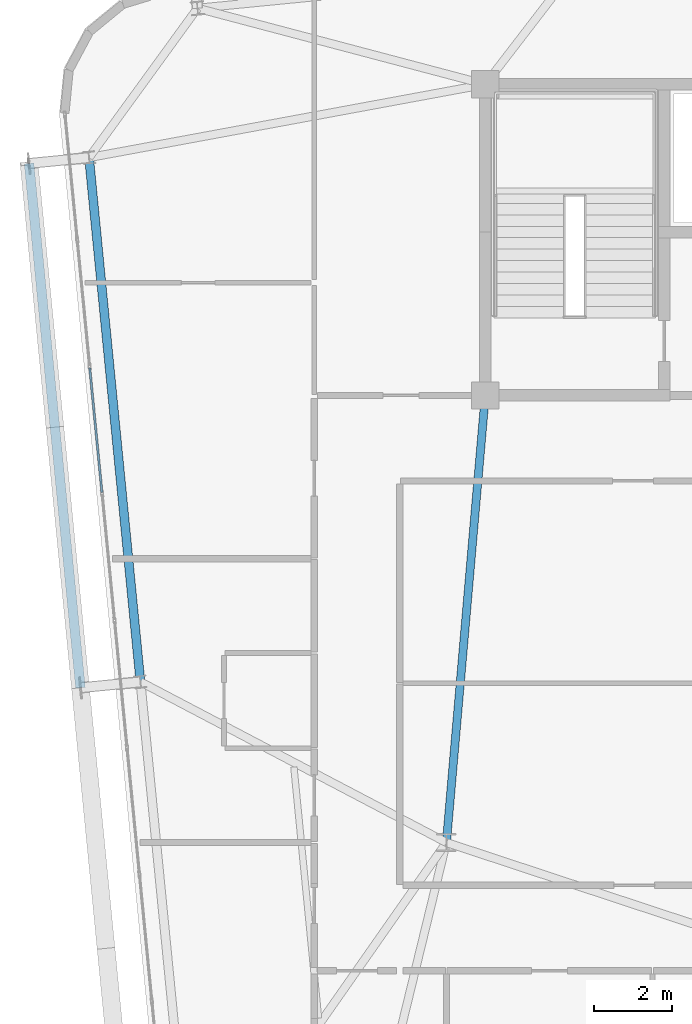
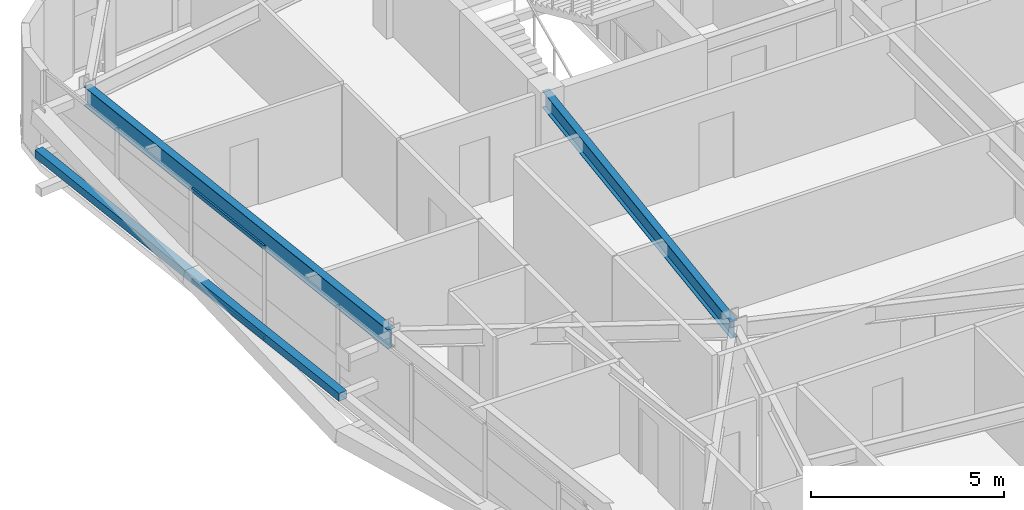
# One storey, part 14 of 54: 3 members, 2 beams, 1 element without a shape of its own.
"""IFC4 building model written with IfcOpenShell, lengths in metres."""

from ifc_helpers import new_model, si_unit, direction, frame, origin, origin_2d, place, context, subcontext, project, spatial, hollow_rectangle, i_section, extrude, source, transform, mapped, material, layer, layer_set, material_profile, profile_set, type_object, element, aggregate, save


model = new_model("IFC4")

# Units and contexts
model_context = context("Model", 3, precision=1e-05, world=origin(), true_north=direction((0.0, 1.0)))
body_context = subcontext(model_context, "Body", "Model", "MODEL_VIEW")
ifc_project = project(units=[si_unit("LENGTHUNIT", "METRE"), si_unit("AREAUNIT", "SQUARE_METRE"), si_unit("VOLUMEUNIT", "CUBIC_METRE"), si_unit("PLANEANGLEUNIT", "RADIAN"), si_unit("MASSUNIT", "GRAM", prefix="KILO")], contexts=[model_context])

# Site, building, storey
site_placement = place(None, origin())
site = spatial("IfcSite", under=ifc_project, at=site_placement, CompositionType="ELEMENT")
building_placement = place(site_placement, origin())
building = spatial("IfcBuilding", under=site, at=building_placement, Name="Taldren Reach Tower", CompositionType="ELEMENT")
storey_placement = place(building_placement, frame((0.0, 0.0, 102.89990234375)))
storey = spatial("IfcBuildingStorey", under=building, at=storey_placement, Name="L31", CompositionType="ELEMENT", Elevation=102.89990234375)

# Beams
ifc_material_1 = material(Name="Steel Gr 350 (350PLUS)", Category="steel")
ifc_material_profile_1 = material_profile(ifc_material_1, i_section(OverallWidth=0.208984375, OverallDepth=0.532958984375, WebThickness=0.01025390625, FlangeThickness=0.015625, at=origin_2d()), Name="530UB92.4")
ifc_profile_set_1 = profile_set([ifc_material_profile_1], Name="Steel Gr 350 (350PLUS)")
beam_type_1 = type_object("IfcBeamType", Name="BM-UB530A", PredefinedType="BEAM", material=ifc_profile_set_1)
shared_shape_1 = source(origin(), body_context, "Body", "SweptSolid", [
    extrude(i_section(OverallWidth=0.208984375, OverallDepth=0.532958984375, WebThickness=0.01025390625, FlangeThickness=0.015625, at=origin_2d()), origin(), (0.0, 0.0, 1.0), 11.54345703125),
])
beam_1_placement = place(storey_placement, frame((19.0, 24.0, 2.66357421875), z_axis=(-0.086629616365, -0.996240588196, 0.0), x_axis=(0.996240588196, -0.086629616365, 0.0)))
element("IfcBeam", 1, at=beam_1_placement, inside=storey, type_object=beam_type_1, Name="Core-spine girder L31-SP09", PredefinedType="BEAM", context=body_context, shape_type="MappedRepresentation", body=[
    mapped(shared_shape_1, transform((0.0, 0.0, 0.0), scale=1.0)),
])
ifc_material_profile_2 = material_profile(ifc_material_1, i_section(OverallWidth=0.22802734375, OverallDepth=0.60205078125, WebThickness=0.010498046875, FlangeThickness=0.014892578125, at=origin_2d()), Name="610UB101")
ifc_profile_set_2 = profile_set([ifc_material_profile_2], Name="Steel Gr 350 (350PLUS)")
beam_type_2 = type_object("IfcBeamType", Name="BM-UB610B", PredefinedType="BEAM", material=ifc_profile_set_2)
shared_shape_2 = source(origin(), body_context, "Body", "SweptSolid", [
    extrude(i_section(OverallWidth=0.22802734375, OverallDepth=0.60205078125, WebThickness=0.010498046875, FlangeThickness=0.014892578125, at=origin_2d()), origin(), (0.0, 0.0, 1.0), 13.550048828125),
])
beam_2_placement = place(storey_placement, frame((8.808349609375, 30.116455078125, 2.629150390625), z_axis=(0.097584021339, -0.995227290009, 0.0), x_axis=(0.995227290009, 0.097584021339, 0.0)))
element("IfcBeam", 2, at=beam_2_placement, inside=storey, type_object=beam_type_2, Name="Perimeter gable girder B2 W3-W2 L31", PredefinedType="BEAM", context=body_context, shape_type="MappedRepresentation", body=[
    mapped(shared_shape_2, transform((0.0, 0.0, 0.0), scale=1.0)),
])

# Member
ifc_material_2 = material(Name="Steel Gr 350 (C350L0)", Category="steel")
ifc_material_profile_3 = material_profile(ifc_material_2, hollow_rectangle(XDim=0.25, YDim=0.25, WallThickness=0.010009765625, at=origin_2d()), Name="250x250x10.0SHS")
ifc_profile_set_3 = profile_set([ifc_material_profile_3], Name="Steel Gr 350 (C350L0)")
member_type_1 = type_object("IfcMemberType", Name="MB-POST250", PredefinedType="POST", material=ifc_profile_set_3)
shared_shape_3 = source(origin(), body_context, "Body", "SweptSolid", [
    extrude(hollow_rectangle(XDim=0.25, YDim=0.25, WallThickness=0.010009765625, at=origin_2d()), origin(), (0.0, 0.0, 1.0), 13.550048828125),
])
member_1_placement = place(storey_placement, frame((8.587890625, 16.479736328125, 1.43505859375), z_axis=(-0.097584021339, 0.995227290009, 0.0), x_axis=(-0.995227290009, -0.097584021339, 0.0)))
element("IfcMember", 3, at=member_1_placement, inside=storey, type_object=member_type_1, Name="Exoskeleton mid-height ring chord B2-W2 L31", PredefinedType="POST", context=body_context, shape_type="MappedRepresentation", body=[
    mapped(shared_shape_3, transform((0.0, 0.0, 0.0), scale=1.0)),
])

# Curtain wall, members
ifc_material_3 = material(Name="Aluminium and Low-E Glass Unitised System", Category="aluminium")
ifc_layer = layer(ifc_material_3, 0.159912109375)
ifc_layer_set = layer_set([ifc_layer], Name="Aluminium and Low-E Glass Unitised System")
curtain_wall_type = type_object("IfcCurtainWallType", Name="CW-SYS-3", PredefinedType="NOTDEFINED", material=ifc_layer_set)
curtain_wall_placement = place(storey_placement, origin())
curtain_wall = element("IfcCurtainWall", 4, at=curtain_wall_placement, inside=storey, type_object=curtain_wall_type, Name="Unitised curtain wall CW-L31-W", PredefinedType="NOTDEFINED")
ifc_material_4 = material(Name="Anodised Aluminium 6063-T6", Category="aluminium")
ifc_material_profile_4 = material_profile(ifc_material_4, hollow_rectangle(XDim=0.054931640625, YDim=0.1201171875, WallThickness=0.0029296875, at=origin_2d()), Name="ALU-120x55x3RHS")
ifc_profile_set_4 = profile_set([ifc_material_profile_4], Name="Anodised Aluminium 6063-T6")
member_type_2 = type_object("IfcMemberType", Name="CW-TRN-135", PredefinedType="USERDEFINED", material=ifc_profile_set_4)
shared_shape_4 = source(origin(), body_context, "Body", "SweptSolid", [
    extrude(hollow_rectangle(XDim=0.054931640625, YDim=0.1201171875, WallThickness=0.0029296875, at=origin_2d()), origin(), (0.0, 0.0, 1.0), 3.212890625),
])
member_2_placement = place(storey_placement, frame((8.826416015625, 24.704345703125, 0.027587890625), z_axis=(0.097569948235, -0.995228669805, 0.0), x_axis=(0.995228669805, 0.097569948235, 0.0)))
member_2 = element("IfcMember", 5, at=member_2_placement, type_object=member_type_2, Name="CW-3 transom 3.1", ObjectType="TRANSOM", PredefinedType="USERDEFINED", context=body_context, shape_type="MappedRepresentation", body=[
    mapped(shared_shape_4, transform((0.0, 0.0, 0.0), scale=1.0)),
])
member_3_placement = place(storey_placement, frame((8.826416015625, 24.704345703125, 2.902587890625), z_axis=(0.097569948235, -0.995228669805, 0.0), x_axis=(0.995228669805, 0.097569948235, 0.0)))
member_3 = element("IfcMember", 6, at=member_3_placement, type_object=member_type_2, Name="CW-3 transom 3.2", ObjectType="TRANSOM", PredefinedType="USERDEFINED", context=body_context, shape_type="MappedRepresentation", body=[
    mapped(shared_shape_4, transform((0.0, 0.0, 0.0), scale=1.0)),
])
aggregate(curtain_wall, [member_2, member_3])

save(model, "model.ifc")
